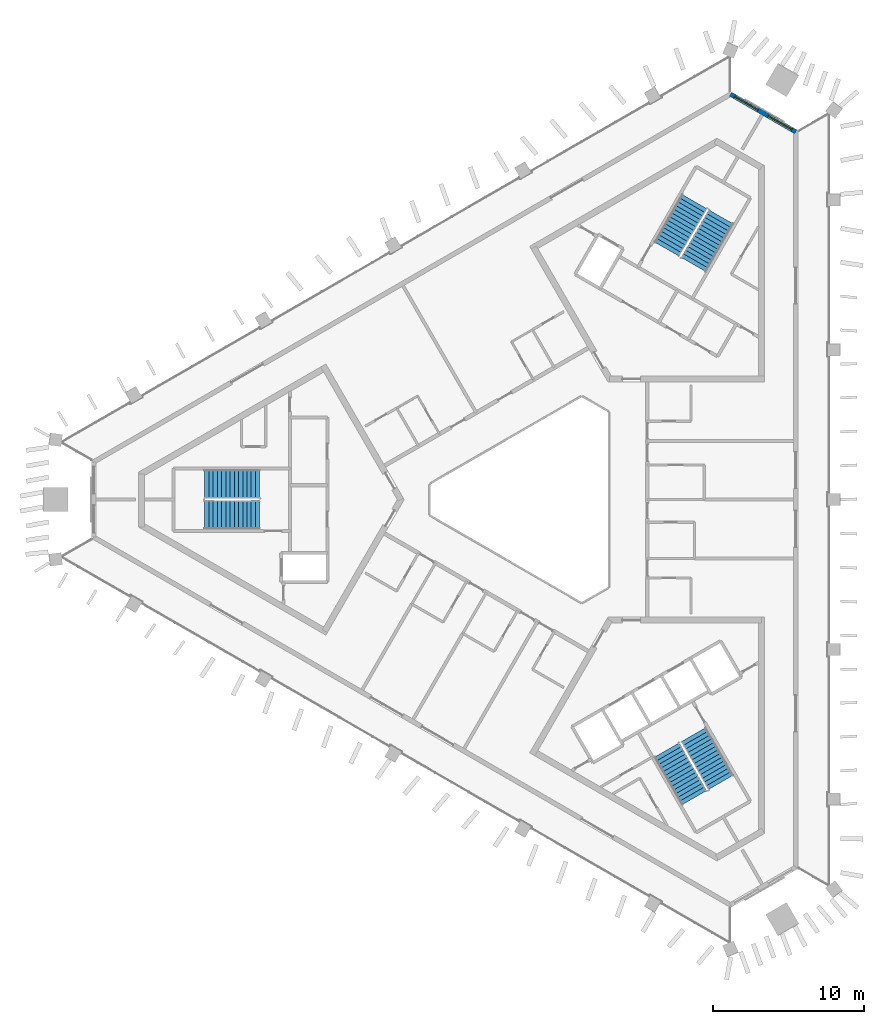
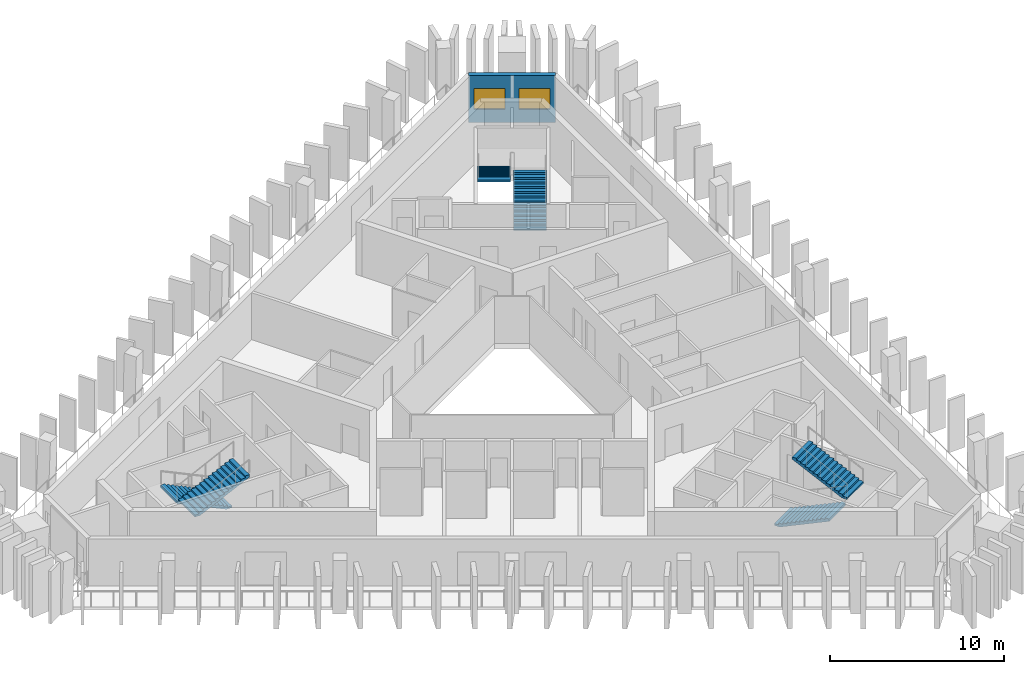
# One storey, part 6 of 10: 6 stair flights, 2 windows, 1 wall, 2 openings, 3 elements without a shape of their own.
"""IFC4 building model written with IfcOpenShell, lengths in metres."""

from ifc_helpers import new_model, si_unit, direction, frame, frame_2d, origin, place, context, subcontext, project, spatial, polyline, rectangle, outline, extrude, material, layer, layer_set, type_object, element, fill, aggregate, save


model = new_model("IFC4")

# Units and contexts
model_context = context("Model", 3, precision=1e-05, world=origin(), true_north=direction((0.0, 1.0)))
body_context = subcontext(model_context, "Body", "Model", "MODEL_VIEW")
ifc_project = project(units=[si_unit("LENGTHUNIT", "METRE"), si_unit("AREAUNIT", "SQUARE_METRE"), si_unit("VOLUMEUNIT", "CUBIC_METRE"), si_unit("PLANEANGLEUNIT", "RADIAN"), si_unit("MASSUNIT", "GRAM", prefix="KILO")], contexts=[model_context])

# Site, building, storey
site_placement = place(None, origin())
site = spatial("IfcSite", under=ifc_project, at=site_placement, CompositionType="ELEMENT")
building_placement = place(site_placement, origin())
building = spatial("IfcBuilding", under=site, at=building_placement, Name="Jabali Bay Hotel Tower and Convention Centre", CompositionType="ELEMENT")
storey_placement = place(building_placement, frame((0.0, 0.0, 255.300048828125)))
storey = spatial("IfcBuildingStorey", under=building, at=storey_placement, Name="L62", CompositionType="ELEMENT", Elevation=255.300048828125)

# Wall, openings, windows
ifc_material_1 = material(Name="Concrete C40", Category="concrete")
ifc_layer = layer(ifc_material_1, 0.300048828125)
ifc_layer_set = layer_set([ifc_layer], Name="Concrete C40")
wall_type = type_object("IfcWallType", Name="External wall 300", PredefinedType="SOLIDWALL", material=ifc_layer_set)
wall_placement = place(storey_placement, frame((87.6328125, 106.867431640625, 0.0), z_axis=(0.0, 0.0, 1.0), x_axis=(0.866020080793, -0.500009219579, 0.0)))
wall = element("IfcWall", 1, at=wall_placement, inside=storey, type_object=wall_type, Name="External wall north-east chamfer L62", PredefinedType="SOLIDWALL", context=body_context, shape_type="SweptSolid", body=[
    extrude(rectangle(XDim=4.98681640625, YDim=0.300048828125, at=frame_2d((2.493408203125, 0.0))), origin(), (0.0, 0.0, 1.0), 3.300048828125),
])
opening_1_placement = place(wall_placement, frame((2.8828125, 0.0, 0.89990234375)))
opening_1 = element("IfcOpeningElement", 2, at=opening_1_placement, cuts=wall, Name="Opening W1", PredefinedType="OPENING", context=body_context, shape_type="SweptSolid", body=[
    extrude(rectangle(XDim=1.800048828125, YDim=1.5, at=frame_2d((0.89990234375, 0.75))), frame((0.0, 0.16064453125, 0.0), z_axis=(0.0, -1.0, 0.0), x_axis=(1.0, 0.0, 0.0)), (0.0, 0.0, 1.0), 0.321044921875),
])
opening_2_placement = place(wall_placement, frame((0.303955078125, 0.0, 0.89990234375)))
opening_2 = element("IfcOpeningElement", 3, at=opening_2_placement, cuts=wall, Name="Opening W1", PredefinedType="OPENING", context=body_context, shape_type="SweptSolid", body=[
    extrude(rectangle(XDim=1.800048828125, YDim=1.5, at=frame_2d((0.89990234375, 0.75))), frame((0.0, 0.16064453125, 0.0), z_axis=(0.0, -1.0, 0.0), x_axis=(1.0, 0.0, 0.0)), (0.0, 0.0, 1.0), 0.321044921875),
])
ifc_material_2 = material(Name="Glass", Category="glass")
window_type = type_object("IfcWindowType", Name="Window 1800 x 1500", PartitioningType="SINGLE_PANEL", PredefinedType="WINDOW", material=ifc_material_2)
window_1_placement = place(opening_1_placement, origin())
window_1 = element("IfcWindow", 4, at=window_1_placement, inside=storey, type_object=window_type, Name="Window 6204", OverallHeight=1.5, OverallWidth=1.800048828125, PartitioningType="SINGLE_PANEL", PredefinedType="WINDOW", context=body_context, shape_type="SweptSolid", body=[
    extrude(rectangle(XDim=1.800048828125, YDim=1.5, at=frame_2d((0.89990234375, 0.75))), frame((0.0, 0.030029296875, 0.0), z_axis=(0.0, -1.0, 0.0), x_axis=(1.0, 0.0, 0.0)), (0.0, 0.0, 1.0), 0.06005859375),
])
fill(opening_1, window_1)
window_2_placement = place(opening_2_placement, origin())
window_2 = element("IfcWindow", 5, at=window_2_placement, inside=storey, type_object=window_type, Name="Window 6205", OverallHeight=1.5, OverallWidth=1.800048828125, PartitioningType="SINGLE_PANEL", PredefinedType="WINDOW", context=body_context, shape_type="SweptSolid", body=[
    extrude(rectangle(XDim=1.800048828125, YDim=1.5, at=frame_2d((0.89990234375, 0.75))), frame((0.0, 0.030029296875, 0.0), z_axis=(0.0, -1.0, 0.0), x_axis=(1.0, 0.0, 0.0)), (0.0, 0.0, 1.0), 0.06005859375),
])
fill(opening_2, window_2)

# Stair, stair flights
stair_type = type_object("IfcStairType", Name="Exit stair 1900", PredefinedType="HALF_TURN_STAIR", material=ifc_material_1)
stair_1_placement = place(storey_placement, origin())
stair_1 = element("IfcStair", 6, at=stair_1_placement, inside=storey, type_object=stair_type, Name="L62 Exit Stair 1", PredefinedType="HALF_TURN_STAIR")
stair_flight_type = type_object("IfcStairFlightType", Name="Stair flight concrete 150", PredefinedType="STRAIGHT", material=ifc_material_1)
stair_flight_1_placement = place(storey_placement, frame((56.419921875, 81.02490234375, 0.0), z_axis=(0.0, 0.0, 1.0), x_axis=(-1.0, 0.0, 0.0)))
stair_flight_1 = element("IfcStairFlight", 7, at=stair_flight_1_placement, type_object=stair_flight_type, Name="ST1 flight 1", NumberOfRisers=14, NumberOfTreads=13, PredefinedType="STRAIGHT", RiserHeight=0.132142857, TreadLength=0.28, context=body_context, shape_type="SweptSolid", body=[
    extrude(outline(polyline([(0.0, 0.0), (0.0, 0.132080078125), (0.280029296875, 0.132080078125), (0.280029296875, 0.264404296875), (0.56005859375, 0.264404296875), (0.56005859375, 0.396484375), (0.840087890625, 0.396484375), (0.840087890625, 0.528564453125), (1.1201171875, 0.528564453125), (1.1201171875, 0.66064453125), (1.39990234375, 0.66064453125), (1.39990234375, 0.79296875), (1.679931640625, 0.79296875), (1.679931640625, 0.925048828125), (1.9599609375, 0.925048828125), (1.9599609375, 1.05712890625), (2.239990234375, 1.05712890625), (2.239990234375, 1.189208984375), (2.52001953125, 1.189208984375), (2.52001953125, 1.321533203125), (2.800048828125, 1.321533203125), (2.800048828125, 1.45361328125), (3.080078125, 1.45361328125), (3.080078125, 1.585693359375), (3.360107421875, 1.585693359375), (3.360107421875, 1.7177734375), (3.639892578125, 1.7177734375), (3.639892578125, 1.85009765625), (3.639892578125, 1.552001953125), (0.351318359375, 0.0), (0.0, 0.0)])), frame((0.0, 0.949951171875, 0.0), z_axis=(0.0, -1.0, 0.0), x_axis=(1.0, 0.0, 0.0)), (0.0, 0.0, 1.0), 1.89990234375),
])
stair_flight_2_placement = place(storey_placement, frame((52.780029296875, 78.97509765625, 1.849853515625), z_axis=(0.0, 0.0, 1.0), x_axis=(1.0, 0.0, 0.0)))
stair_flight_2 = element("IfcStairFlight", 8, at=stair_flight_2_placement, type_object=stair_flight_type, Name="ST1 flight 2", NumberOfRisers=14, NumberOfTreads=13, PredefinedType="STRAIGHT", RiserHeight=0.132142857, TreadLength=0.28, context=body_context, shape_type="SweptSolid", body=[
    extrude(outline(polyline([(0.0, 0.0), (0.0, 0.132080078125), (0.280029296875, 0.132080078125), (0.280029296875, 0.264404296875), (0.56005859375, 0.264404296875), (0.56005859375, 0.396484375), (0.840087890625, 0.396484375), (0.840087890625, 0.528564453125), (1.1201171875, 0.528564453125), (1.1201171875, 0.66064453125), (1.39990234375, 0.66064453125), (1.39990234375, 0.79296875), (1.679931640625, 0.79296875), (1.679931640625, 0.925048828125), (1.9599609375, 0.925048828125), (1.9599609375, 1.05712890625), (2.239990234375, 1.05712890625), (2.239990234375, 1.189208984375), (2.52001953125, 1.189208984375), (2.52001953125, 1.321533203125), (2.800048828125, 1.321533203125), (2.800048828125, 1.45361328125), (3.080078125, 1.45361328125), (3.080078125, 1.585693359375), (3.360107421875, 1.585693359375), (3.360107421875, 1.7177734375), (3.639892578125, 1.7177734375), (3.639892578125, 1.85009765625), (3.639892578125, 1.552001953125), (0.351318359375, 0.0), (0.0, 0.0)])), frame((0.0, 0.949951171875, 0.0), z_axis=(0.0, -1.0, 0.0), x_axis=(1.0, 0.0, 0.0)), (0.0, 0.0, 1.0), 1.89990234375),
])
aggregate(stair_1, [stair_flight_1, stair_flight_2])

stair_2_placement = place(storey_placement, origin())
stair_2 = element("IfcStair", 9, at=stair_2_placement, inside=storey, type_object=stair_type, Name="L62 Exit Stair 2", PredefinedType="HALF_TURN_STAIR")
stair_flight_3_placement = place(storey_placement, frame((85.177734375, 95.578369140625, 0.0), z_axis=(0.0, 0.0, 1.0), x_axis=(0.5, 0.866025403784, 0.0)))
stair_flight_3 = element("IfcStairFlight", 10, at=stair_flight_3_placement, type_object=stair_flight_type, Name="ST2 flight 1", NumberOfRisers=14, NumberOfTreads=13, PredefinedType="STRAIGHT", RiserHeight=0.132142857, TreadLength=0.28, context=body_context, shape_type="SweptSolid", body=[
    extrude(outline(polyline([(0.0, 0.0), (0.0, 0.132080078125), (0.280029296875, 0.132080078125), (0.280029296875, 0.264404296875), (0.56005859375, 0.264404296875), (0.56005859375, 0.396484375), (0.840087890625, 0.396484375), (0.840087890625, 0.528564453125), (1.1201171875, 0.528564453125), (1.1201171875, 0.66064453125), (1.39990234375, 0.66064453125), (1.39990234375, 0.79296875), (1.679931640625, 0.79296875), (1.679931640625, 0.925048828125), (1.9599609375, 0.925048828125), (1.9599609375, 1.05712890625), (2.239990234375, 1.05712890625), (2.239990234375, 1.189208984375), (2.52001953125, 1.189208984375), (2.52001953125, 1.321533203125), (2.800048828125, 1.321533203125), (2.800048828125, 1.45361328125), (3.080078125, 1.45361328125), (3.080078125, 1.585693359375), (3.360107421875, 1.585693359375), (3.360107421875, 1.7177734375), (3.639892578125, 1.7177734375), (3.639892578125, 1.85009765625), (3.639892578125, 1.552001953125), (0.351318359375, 0.0), (0.0, 0.0)])), frame((0.0, 0.949951171875, 0.0), z_axis=(0.0, -1.0, 0.0), x_axis=(1.0, 0.0, 0.0)), (0.0, 0.0, 1.0), 1.89990234375),
])
stair_flight_4_placement = place(storey_placement, frame((85.222412109375, 99.755615234375, 1.849853515625), z_axis=(0.0, 0.0, 1.0), x_axis=(-0.5, -0.866025403784, 0.0)))
stair_flight_4 = element("IfcStairFlight", 11, at=stair_flight_4_placement, type_object=stair_flight_type, Name="ST2 flight 2", NumberOfRisers=14, NumberOfTreads=13, PredefinedType="STRAIGHT", RiserHeight=0.132142857, TreadLength=0.28, context=body_context, shape_type="SweptSolid", body=[
    extrude(outline(polyline([(0.0, 0.0), (0.0, 0.132080078125), (0.280029296875, 0.132080078125), (0.280029296875, 0.264404296875), (0.56005859375, 0.264404296875), (0.56005859375, 0.396484375), (0.840087890625, 0.396484375), (0.840087890625, 0.528564453125), (1.1201171875, 0.528564453125), (1.1201171875, 0.66064453125), (1.39990234375, 0.66064453125), (1.39990234375, 0.79296875), (1.679931640625, 0.79296875), (1.679931640625, 0.925048828125), (1.9599609375, 0.925048828125), (1.9599609375, 1.05712890625), (2.239990234375, 1.05712890625), (2.239990234375, 1.189208984375), (2.52001953125, 1.189208984375), (2.52001953125, 1.321533203125), (2.800048828125, 1.321533203125), (2.800048828125, 1.45361328125), (3.080078125, 1.45361328125), (3.080078125, 1.585693359375), (3.360107421875, 1.585693359375), (3.360107421875, 1.7177734375), (3.639892578125, 1.7177734375), (3.639892578125, 1.85009765625), (3.639892578125, 1.552001953125), (0.351318359375, 0.0), (0.0, 0.0)])), frame((0.0, 0.949951171875, 0.0), z_axis=(0.0, -1.0, 0.0), x_axis=(1.0, 0.0, 0.0)), (0.0, 0.0, 1.0), 1.89990234375),
])
aggregate(stair_2, [stair_flight_3, stair_flight_4])

stair_3_placement = place(storey_placement, origin())
stair_3 = element("IfcStair", 12, at=stair_3_placement, inside=storey, type_object=stair_type, Name="L62 Exit Stair 3", PredefinedType="HALF_TURN_STAIR")
stair_flight_5_placement = place(storey_placement, frame((83.40234375, 63.396728515625, 0.0), z_axis=(0.0, 0.0, 1.0), x_axis=(0.5, -0.866025403784, 0.0)))
stair_flight_5 = element("IfcStairFlight", 13, at=stair_flight_5_placement, type_object=stair_flight_type, Name="ST3 flight 1", NumberOfRisers=14, NumberOfTreads=13, PredefinedType="STRAIGHT", RiserHeight=0.132142857, TreadLength=0.28, context=body_context, shape_type="SweptSolid", body=[
    extrude(outline(polyline([(0.0, 0.0), (0.0, 0.132080078125), (0.280029296875, 0.132080078125), (0.280029296875, 0.264404296875), (0.56005859375, 0.264404296875), (0.56005859375, 0.396484375), (0.840087890625, 0.396484375), (0.840087890625, 0.528564453125), (1.1201171875, 0.528564453125), (1.1201171875, 0.66064453125), (1.39990234375, 0.66064453125), (1.39990234375, 0.79296875), (1.679931640625, 0.79296875), (1.679931640625, 0.925048828125), (1.9599609375, 0.925048828125), (1.9599609375, 1.05712890625), (2.239990234375, 1.05712890625), (2.239990234375, 1.189208984375), (2.52001953125, 1.189208984375), (2.52001953125, 1.321533203125), (2.800048828125, 1.321533203125), (2.800048828125, 1.45361328125), (3.080078125, 1.45361328125), (3.080078125, 1.585693359375), (3.360107421875, 1.585693359375), (3.360107421875, 1.7177734375), (3.639892578125, 1.7177734375), (3.639892578125, 1.85009765625), (3.639892578125, 1.552001953125), (0.351318359375, 0.0), (0.0, 0.0)])), frame((0.0, 0.949951171875, 0.0), z_axis=(0.0, -1.0, 0.0), x_axis=(1.0, 0.0, 0.0)), (0.0, 0.0, 1.0), 1.89990234375),
])
stair_flight_6_placement = place(storey_placement, frame((86.99755859375, 61.26953125, 1.849853515625), z_axis=(0.0, 0.0, 1.0), x_axis=(-0.5, 0.866025403784, 0.0)))
stair_flight_6 = element("IfcStairFlight", 14, at=stair_flight_6_placement, type_object=stair_flight_type, Name="ST3 flight 2", NumberOfRisers=14, NumberOfTreads=13, PredefinedType="STRAIGHT", RiserHeight=0.132142857, TreadLength=0.28, context=body_context, shape_type="SweptSolid", body=[
    extrude(outline(polyline([(0.0, 0.0), (0.0, 0.132080078125), (0.280029296875, 0.132080078125), (0.280029296875, 0.264404296875), (0.56005859375, 0.264404296875), (0.56005859375, 0.396484375), (0.840087890625, 0.396484375), (0.840087890625, 0.528564453125), (1.1201171875, 0.528564453125), (1.1201171875, 0.66064453125), (1.39990234375, 0.66064453125), (1.39990234375, 0.79296875), (1.679931640625, 0.79296875), (1.679931640625, 0.925048828125), (1.9599609375, 0.925048828125), (1.9599609375, 1.05712890625), (2.239990234375, 1.05712890625), (2.239990234375, 1.189208984375), (2.52001953125, 1.189208984375), (2.52001953125, 1.321533203125), (2.800048828125, 1.321533203125), (2.800048828125, 1.45361328125), (3.080078125, 1.45361328125), (3.080078125, 1.585693359375), (3.360107421875, 1.585693359375), (3.360107421875, 1.7177734375), (3.639892578125, 1.7177734375), (3.639892578125, 1.85009765625), (3.639892578125, 1.552001953125), (0.351318359375, 0.0), (0.0, 0.0)])), frame((0.0, 0.949951171875, 0.0), z_axis=(0.0, -1.0, 0.0), x_axis=(1.0, 0.0, 0.0)), (0.0, 0.0, 1.0), 1.89990234375),
])
aggregate(stair_3, [stair_flight_5, stair_flight_6])

save(model, "model.ifc")
